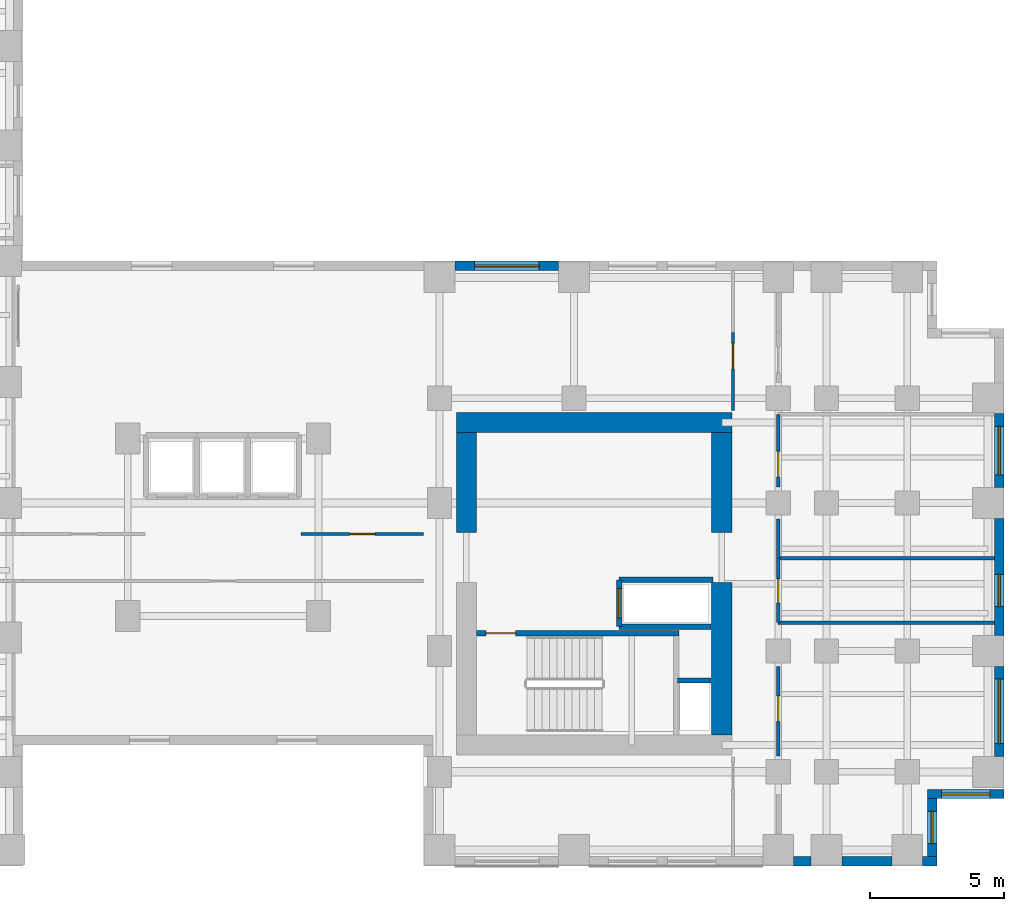
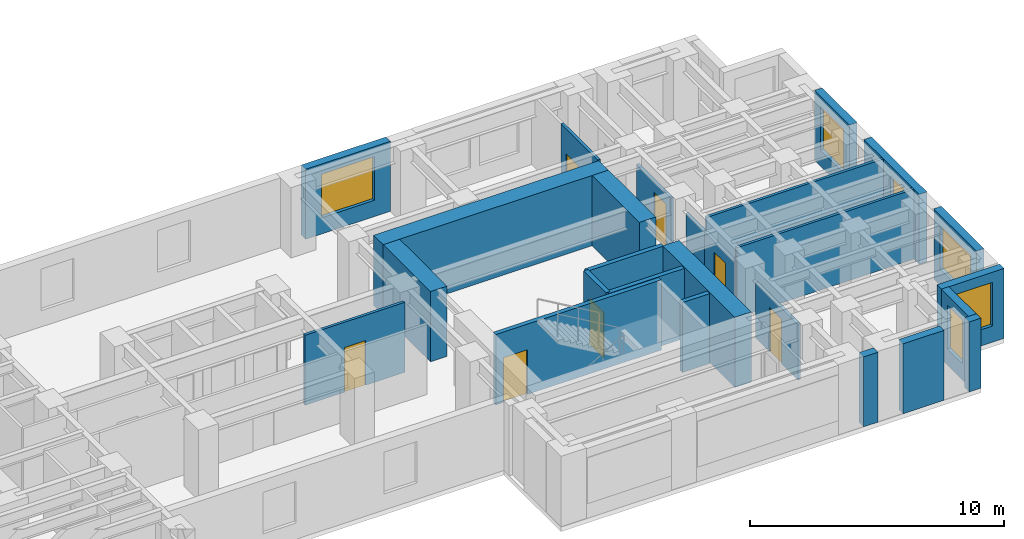
# One storey, part 10 of 14: 26 walls, 7 doors, 6 windows, 13 openings.
"""IFC4 building model written with IfcOpenShell, lengths in metres."""

from ifc_helpers import new_model, si_unit, direction, frame, frame_2d, origin, place, context, subcontext, project, spatial, rectangle, extrude, source, transform, mapped, material, layer, layer_set, type_object, element, fill, save


model = new_model("IFC4")

# Units and contexts
model_context = context("Model", 3, precision=1e-05, world=origin(), true_north=direction((0.0, 1.0)))
body_context = subcontext(model_context, "Body", "Model", "MODEL_VIEW")
ifc_project = project(units=[si_unit("LENGTHUNIT", "METRE"), si_unit("AREAUNIT", "SQUARE_METRE"), si_unit("VOLUMEUNIT", "CUBIC_METRE"), si_unit("PLANEANGLEUNIT", "RADIAN"), si_unit("MASSUNIT", "GRAM", prefix="KILO")], contexts=[model_context])

# Site, building, storey
site_placement = place(None, origin())
site = spatial("IfcSite", under=ifc_project, at=site_placement, CompositionType="ELEMENT")
building_placement = place(site_placement, origin())
building = spatial("IfcBuilding", under=site, at=building_placement, Name="Kharzan Plaza Tower", CompositionType="ELEMENT")
storey_placement = place(building_placement, frame((0.0, 0.0, 81.0)))
storey = spatial("IfcBuildingStorey", under=building, at=storey_placement, Name="L21", CompositionType="ELEMENT", Elevation=81.0)

# Wall, opening, window
ifc_material_1 = material(Name="Concrete C40/50", Category="concrete")
ifc_layer_1 = layer(ifc_material_1, 0.35009765625)
ifc_layer_set_1 = layer_set([ifc_layer_1], Name="Concrete C40/50")
wall_type_1 = type_object("IfcWallType", Name="WL-EXT-MAS-Z2", PredefinedType="SOLIDWALL", material=ifc_layer_set_1)
wall_1_placement = place(storey_placement, frame((53.324951171875, 0.347900390625, 0.0), z_axis=(0.0, 0.0, 1.0), x_axis=(0.0, 1.0, 0.0)))
wall_1 = element("IfcWall", 1, at=wall_1_placement, inside=storey, type_object=wall_type_1, Name="L21 Masonry-Frame Exterior Wall 36", PredefinedType="SOLIDWALL", context=body_context, shape_type="SweptSolid", body=[
    extrude(rectangle(XDim=2.154052734375, YDim=0.35009765625, at=frame_2d((1.0771484375, 0.0))), origin(), (0.0, 0.0, 1.0), 3.364990234375),
])
opening_1_placement = place(wall_1_placement, frame((0.47705078125, 0.0, 0.780029296875)))
opening_1 = element("IfcOpeningElement", 2, at=opening_1_placement, cuts=wall_1, Name="Opening W3", PredefinedType="OPENING", context=body_context, shape_type="SweptSolid", body=[
    extrude(rectangle(XDim=1.199951171875, YDim=2.10009765625, at=frame_2d((0.60009765625, 1.050048828125))), frame((0.0, 0.18505859375, 0.0), z_axis=(0.0, -1.0, 0.0), x_axis=(1.0, 0.0, 0.0)), (0.0, 0.0, 1.0), 0.3701171875),
])
ifc_material_2 = material(Name="Low-E Double Glazing", Category="glass")
window_type_1 = type_object("IfcWindowType", Name="WN-REC-1200x2100", PartitioningType="SINGLE_PANEL", PredefinedType="WINDOW", material=ifc_material_2)
shared_shape_1 = source(origin(), body_context, "Body", "SweptSolid", [
    extrude(rectangle(XDim=1.199951171875, YDim=2.10009765625, at=frame_2d((0.60009765625, 1.050048828125))), frame((0.0, 0.030029296875, 0.0), z_axis=(0.0, -1.0, 0.0), x_axis=(1.0, 0.0, 0.0)), (0.0, 0.0, 1.0), 0.06005859375),
])
window_1_placement = place(opening_1_placement, origin())
window_1 = element("IfcWindow", 3, at=window_1_placement, inside=storey, type_object=window_type_1, Name="L21 Recessed Solar-Control Window 36-1", OverallHeight=2.10009765625, OverallWidth=1.199951171875, PartitioningType="SINGLE_PANEL", PredefinedType="WINDOW", context=body_context, shape_type="MappedRepresentation", body=[
    mapped(shared_shape_1, transform((0.0, 0.0, 0.0), x_axis=(1.0, 0.0, 0.0), y_axis=(0.0, 1.0, 0.0), z_axis=(0.0, 0.0, 1.0))),
])
fill(opening_1, window_1)

wall_2_placement = place(storey_placement, frame((53.14990234375, 2.675048828125, 0.0), z_axis=(0.0, 0.0, 1.0), x_axis=(1.0, 0.0, 0.0)))
wall_2 = element("IfcWall", 4, at=wall_2_placement, inside=storey, type_object=wall_type_1, Name="L21 Masonry-Frame Exterior Wall 37", PredefinedType="SOLIDWALL", context=body_context, shape_type="SweptSolid", body=[
    extrude(rectangle(XDim=2.85009765625, YDim=0.35009765625, at=frame_2d((1.425048828125, 0.0))), origin(), (0.0, 0.0, 1.0), 3.364990234375),
])
opening_2_placement = place(wall_2_placement, frame((0.52490234375, 0.0, 0.780029296875)))
opening_2 = element("IfcOpeningElement", 5, at=opening_2_placement, cuts=wall_2, Name="Opening W1", PredefinedType="OPENING", context=body_context, shape_type="SweptSolid", body=[
    extrude(rectangle(XDim=1.800048828125, YDim=2.10009765625, at=frame_2d((0.89990234375, 1.050048828125))), frame((0.0, 0.18505859375, 0.0), z_axis=(0.0, -1.0, 0.0), x_axis=(1.0, 0.0, 0.0)), (0.0, 0.0, 1.0), 0.3701171875),
])
window_type_2 = type_object("IfcWindowType", Name="WN-REC-1800x2100", PartitioningType="SINGLE_PANEL", PredefinedType="WINDOW", material=ifc_material_2)
shared_shape_2 = source(origin(), body_context, "Body", "SweptSolid", [
    extrude(rectangle(XDim=1.800048828125, YDim=2.10009765625, at=frame_2d((0.89990234375, 1.050048828125))), frame((0.0, 0.030029296875, 0.0), z_axis=(0.0, -1.0, 0.0), x_axis=(1.0, 0.0, 0.0)), (0.0, 0.0, 1.0), 0.06005859375),
])
window_2_placement = place(opening_2_placement, origin())
window_2 = element("IfcWindow", 6, at=window_2_placement, inside=storey, type_object=window_type_2, Name="L21 Recessed Solar-Control Window 37-1", OverallHeight=2.10009765625, OverallWidth=1.800048828125, PartitioningType="SINGLE_PANEL", PredefinedType="WINDOW", context=body_context, shape_type="MappedRepresentation", body=[
    mapped(shared_shape_2, transform((0.0, 0.0, 0.0), x_axis=(1.0, 0.0, 0.0), y_axis=(0.0, 1.0, 0.0), z_axis=(0.0, 0.0, 1.0))),
])
fill(opening_2, window_2)

wall_3_placement = place(storey_placement, frame((55.824951171875, 4.072998046875, 0.0), z_axis=(0.0, 0.0, 1.0), x_axis=(0.0, 1.0, 0.0)))
wall_3 = element("IfcWall", 7, at=wall_3_placement, inside=storey, type_object=wall_type_1, Name="L21 Masonry-Frame Exterior Wall 38", PredefinedType="SOLIDWALL", context=body_context, shape_type="SweptSolid", body=[
    extrude(rectangle(XDim=3.35400390625, YDim=0.35009765625, at=frame_2d((1.677001953125, 0.0))), origin(), (0.0, 0.0, 1.0), 3.364990234375),
])
opening_3_placement = place(wall_3_placement, frame((0.47705078125, 0.0, 0.780029296875)))
opening_3 = element("IfcOpeningElement", 8, at=opening_3_placement, cuts=wall_3, Name="Opening W2", PredefinedType="OPENING", context=body_context, shape_type="SweptSolid", body=[
    extrude(rectangle(XDim=2.39990234375, YDim=2.10009765625, at=frame_2d((1.199951171875, 1.050048828125))), frame((0.0, 0.18505859375, 0.0), z_axis=(0.0, -1.0, 0.0), x_axis=(1.0, 0.0, 0.0)), (0.0, 0.0, 1.0), 0.3701171875),
])
window_type_3 = type_object("IfcWindowType", Name="WN-REC-2400x2100", PartitioningType="SINGLE_PANEL", PredefinedType="WINDOW", material=ifc_material_2)
shared_shape_3 = source(origin(), body_context, "Body", "SweptSolid", [
    extrude(rectangle(XDim=2.39990234375, YDim=2.10009765625, at=frame_2d((1.199951171875, 1.050048828125))), frame((0.0, 0.030029296875, 0.0), z_axis=(0.0, -1.0, 0.0), x_axis=(1.0, 0.0, 0.0)), (0.0, 0.0, 1.0), 0.06005859375),
])
window_3_placement = place(opening_3_placement, origin())
window_3 = element("IfcWindow", 9, at=window_3_placement, inside=storey, type_object=window_type_3, Name="L21 Wide Recessed Solar-Control Window 38-1", OverallHeight=2.10009765625, OverallWidth=2.39990234375, PartitioningType="SINGLE_PANEL", PredefinedType="WINDOW", context=body_context, shape_type="MappedRepresentation", body=[
    mapped(shared_shape_3, transform((0.0, 0.0, 0.0), x_axis=(1.0, 0.0, 0.0), y_axis=(0.0, 1.0, 0.0), z_axis=(0.0, 0.0, 1.0))),
])
fill(opening_3, window_3)

wall_4_placement = place(storey_placement, frame((55.824951171875, 8.572998046875, 0.0), z_axis=(0.0, 0.0, 1.0), x_axis=(0.0, 1.0, 0.0)))
wall_4 = element("IfcWall", 10, at=wall_4_placement, inside=storey, type_object=wall_type_1, Name="L21 Masonry-Frame Exterior Wall 39", PredefinedType="SOLIDWALL", context=body_context, shape_type="SweptSolid", body=[
    extrude(rectangle(XDim=4.35400390625, YDim=0.35009765625, at=frame_2d((2.177001953125, 0.0))), origin(), (0.0, 0.0, 1.0), 3.364990234375),
])
opening_4_placement = place(wall_4_placement, frame((1.076904296875, 0.0, 0.780029296875)))
opening_4 = element("IfcOpeningElement", 11, at=opening_4_placement, cuts=wall_4, Name="Opening W3", PredefinedType="OPENING", context=body_context, shape_type="SweptSolid", body=[
    extrude(rectangle(XDim=1.199951171875, YDim=2.10009765625, at=frame_2d((0.60009765625, 1.050048828125))), frame((0.0, 0.18505859375, 0.0), z_axis=(0.0, -1.0, 0.0), x_axis=(1.0, 0.0, 0.0)), (0.0, 0.0, 1.0), 0.3701171875),
])
window_4_placement = place(opening_4_placement, origin())
window_4 = element("IfcWindow", 12, at=window_4_placement, inside=storey, type_object=window_type_1, Name="L21 Recessed Solar-Control Window 39-1", OverallHeight=2.10009765625, OverallWidth=1.199951171875, PartitioningType="SINGLE_PANEL", PredefinedType="WINDOW", context=body_context, shape_type="MappedRepresentation", body=[
    mapped(shared_shape_1, transform((0.0, 0.0, 0.0), x_axis=(1.0, 0.0, 0.0), y_axis=(0.0, 1.0, 0.0), z_axis=(0.0, 0.0, 1.0))),
])
fill(opening_4, window_4)

wall_5_placement = place(storey_placement, frame((55.824951171875, 14.072998046875, 0.0), z_axis=(0.0, 0.0, 1.0), x_axis=(0.0, 1.0, 0.0)))
wall_5 = element("IfcWall", 13, at=wall_5_placement, inside=storey, type_object=wall_type_1, Name="L21 Masonry-Frame Exterior Wall 40", PredefinedType="SOLIDWALL", context=body_context, shape_type="SweptSolid", body=[
    extrude(rectangle(XDim=2.75390625, YDim=0.35009765625, at=frame_2d((1.376953125, 0.0))), origin(), (0.0, 0.0, 1.0), 3.364990234375),
])
opening_5_placement = place(wall_5_placement, frame((0.47705078125, 0.0, 0.780029296875)))
opening_5 = element("IfcOpeningElement", 14, at=opening_5_placement, cuts=wall_5, Name="Opening W1", PredefinedType="OPENING", context=body_context, shape_type="SweptSolid", body=[
    extrude(rectangle(XDim=1.800048828125, YDim=2.10009765625, at=frame_2d((0.89990234375, 1.050048828125))), frame((0.0, 0.18505859375, 0.0), z_axis=(0.0, -1.0, 0.0), x_axis=(1.0, 0.0, 0.0)), (0.0, 0.0, 1.0), 0.3701171875),
])
window_5_placement = place(opening_5_placement, origin())
window_5 = element("IfcWindow", 15, at=window_5_placement, inside=storey, type_object=window_type_2, Name="L21 Recessed Solar-Control Window 40-1", OverallHeight=2.10009765625, OverallWidth=1.800048828125, PartitioningType="SINGLE_PANEL", PredefinedType="WINDOW", context=body_context, shape_type="MappedRepresentation", body=[
    mapped(shared_shape_2, transform((0.0, 0.0, 0.0), x_axis=(1.0, 0.0, 0.0), y_axis=(0.0, 1.0, 0.0), z_axis=(0.0, 0.0, 1.0))),
])
fill(opening_5, window_5)

wall_6_placement = place(storey_placement, frame((39.427001953125, 22.324951171875, 0.0), z_axis=(0.0, 0.0, 1.0), x_axis=(-1.0, 0.0, 0.0)))
wall_6 = element("IfcWall", 16, at=wall_6_placement, inside=storey, type_object=wall_type_1, Name="L21 Masonry-Frame Exterior Wall 48", PredefinedType="SOLIDWALL", context=body_context, shape_type="SweptSolid", body=[
    extrude(rectangle(XDim=3.85400390625, YDim=0.35009765625, at=frame_2d((1.927001953125, 0.0))), origin(), (0.0, 0.0, 1.0), 3.364990234375),
])
opening_6_placement = place(wall_6_placement, frame((0.72705078125, 0.0, 0.780029296875)))
opening_6 = element("IfcOpeningElement", 17, at=opening_6_placement, cuts=wall_6, Name="Opening W2", PredefinedType="OPENING", context=body_context, shape_type="SweptSolid", body=[
    extrude(rectangle(XDim=2.39990234375, YDim=2.10009765625, at=frame_2d((1.199951171875, 1.050048828125))), frame((0.0, 0.18505859375, 0.0), z_axis=(0.0, -1.0, 0.0), x_axis=(1.0, 0.0, 0.0)), (0.0, 0.0, 1.0), 0.3701171875),
])
window_6_placement = place(opening_6_placement, origin())
window_6 = element("IfcWindow", 18, at=window_6_placement, inside=storey, type_object=window_type_3, Name="L21 Wide Recessed Solar-Control Window 48-1", OverallHeight=2.10009765625, OverallWidth=2.39990234375, PartitioningType="SINGLE_PANEL", PredefinedType="WINDOW", context=body_context, shape_type="MappedRepresentation", body=[
    mapped(shared_shape_3, transform((0.0, 0.0, 0.0), x_axis=(1.0, 0.0, 0.0), y_axis=(0.0, 1.0, 0.0), z_axis=(0.0, 0.0, 1.0))),
])
fill(opening_6, window_6)

# Wall, opening, door
ifc_material_3 = material(Name="Fire-Rated Gypsum Board Partition", Category="gypsum")
ifc_layer_2 = layer(ifc_material_3, 0.125)
ifc_layer_set_2 = layer_set([ifc_layer_2], Name="Fire-Rated Gypsum Board Partition")
wall_type_2 = type_object("IfcWallType", Name="WL-INT-PART-125", PredefinedType="PARTITIONING", material=ifc_layer_set_2)
wall_7_placement = place(storey_placement, frame((47.60009765625, 4.090087890625, 0.0), z_axis=(0.0, 0.0, 1.0), x_axis=(0.0, 1.0, 0.0)))
wall_7 = element("IfcWall", 19, at=wall_7_placement, inside=storey, type_object=wall_type_2, Name="L21 Interior Partition SH-B1W0", PredefinedType="PARTITIONING", context=body_context, shape_type="SweptSolid", body=[
    extrude(rectangle(XDim=3.31982421875, YDim=0.125, at=frame_2d((1.659912109375, 0.0))), origin(), (0.0, 0.0, 1.0), 2.677001953125),
])
opening_7_placement = place(wall_7_placement, frame((1.284912109375, 0.0, 0.0)))
opening_7 = element("IfcOpeningElement", 20, at=opening_7_placement, cuts=wall_7, Name="Opening OD1", PredefinedType="OPENING", context=body_context, shape_type="SweptSolid", body=[
    extrude(rectangle(XDim=0.949951171875, YDim=2.14990234375, at=frame_2d((0.47509765625, 1.074951171875))), frame((0.0, 0.072509765625, 0.0), z_axis=(0.0, -1.0, 0.0), x_axis=(1.0, 0.0, 0.0)), (0.0, 0.0, 1.0), 0.14501953125),
])
ifc_material_4 = material(Name="Acoustic Solid-Core Stained Oak", Category="timber")
door_type_1 = type_object("IfcDoorType", Name="DR-OFF-SINGLE", OperationType="NOTDEFINED", PredefinedType="DOOR", material=ifc_material_4)
shared_shape_4 = source(origin(), body_context, "Body", "SweptSolid", [
    extrude(rectangle(XDim=0.949951171875, YDim=2.14990234375, at=frame_2d((0.47509765625, 1.074951171875))), frame((0.0, 0.02490234375, 0.0), z_axis=(0.0, -1.0, 0.0), x_axis=(1.0, 0.0, 0.0)), (0.0, 0.0, 1.0), 0.050048828125),
])
door_1_placement = place(opening_7_placement, origin())
door_1 = element("IfcDoor", 21, at=door_1_placement, inside=storey, type_object=door_type_1, Name="L21 Wing B South Studio Door", OperationType="SINGLE_SWING_RIGHT", OverallHeight=2.14990234375, OverallWidth=0.949951171875, PredefinedType="DOOR", context=body_context, shape_type="MappedRepresentation", body=[
    mapped(shared_shape_4, transform((0.0, 0.0, 0.0), x_axis=(1.0, 0.0, 0.0), y_axis=(0.0, 1.0, 0.0), z_axis=(0.0, 0.0, 1.0))),
])
fill(opening_7, door_1)

wall_8_placement = place(storey_placement, frame((47.60009765625, 14.090087890625, 0.0), z_axis=(0.0, 0.0, 1.0), x_axis=(0.0, 1.0, 0.0)))
wall_8 = element("IfcWall", 22, at=wall_8_placement, inside=storey, type_object=wall_type_2, Name="L21 Interior Partition SH-B1W1-S2", PredefinedType="PARTITIONING", context=body_context, shape_type="SweptSolid", body=[
    extrude(rectangle(XDim=2.7099609375, YDim=0.125, at=frame_2d((1.35498046875, 0.0))), origin(), (0.0, 0.0, 1.0), 2.677001953125),
])
opening_8_placement = place(wall_8_placement, frame((0.3798828125, 0.0, 0.0)))
opening_8 = element("IfcOpeningElement", 23, at=opening_8_placement, cuts=wall_8, Name="Opening OD1", PredefinedType="OPENING", context=body_context, shape_type="SweptSolid", body=[
    extrude(rectangle(XDim=0.949951171875, YDim=2.14990234375, at=frame_2d((0.47509765625, 1.074951171875))), frame((0.0, 0.072509765625, 0.0), z_axis=(0.0, -1.0, 0.0), x_axis=(1.0, 0.0, 0.0)), (0.0, 0.0, 1.0), 0.14501953125),
])
door_2_placement = place(opening_8_placement, origin())
door_2 = element("IfcDoor", 24, at=door_2_placement, inside=storey, type_object=door_type_1, Name="L21 Wing B Mid Office Door", OperationType="SINGLE_SWING_RIGHT", OverallHeight=2.14990234375, OverallWidth=0.949951171875, PredefinedType="DOOR", context=body_context, shape_type="MappedRepresentation", body=[
    mapped(shared_shape_4, transform((0.0, 0.0, 0.0), x_axis=(1.0, 0.0, 0.0), y_axis=(0.0, 1.0, 0.0), z_axis=(0.0, 0.0, 1.0))),
])
fill(opening_8, door_2)

wall_9_placement = place(storey_placement, frame((47.60009765625, 9.050048828125, 0.0), z_axis=(0.0, 0.0, 1.0), x_axis=(0.0, 1.0, 0.0)))
wall_9 = element("IfcWall", 25, at=wall_9_placement, inside=storey, type_object=wall_type_2, Name="L21 Interior Partition SH-B1WC", PredefinedType="PARTITIONING", context=body_context, shape_type="SweptSolid", body=[
    extrude(rectangle(XDim=2.39990234375, YDim=0.125, at=frame_2d((1.199951171875, 0.0))), origin(), (0.0, 0.0, 1.0), 2.677001953125),
])
opening_9_placement = place(wall_9_placement, frame((0.72509765625, 0.0, 0.0)))
opening_9 = element("IfcOpeningElement", 26, at=opening_9_placement, cuts=wall_9, Name="Opening WD1", PredefinedType="OPENING", context=body_context, shape_type="SweptSolid", body=[
    extrude(rectangle(XDim=0.89990234375, YDim=2.14990234375, at=frame_2d((0.449951171875, 1.074951171875))), frame((0.0, 0.072509765625, 0.0), z_axis=(0.0, -1.0, 0.0), x_axis=(1.0, 0.0, 0.0)), (0.0, 0.0, 1.0), 0.14501953125),
])
ifc_material_5 = material(Name="Moisture-Resistant Fire-Rated Laminate", Category="timber")
door_type_2 = type_object("IfcDoorType", Name="DR-WC-900", OperationType="NOTDEFINED", PredefinedType="DOOR", material=ifc_material_5)
shared_shape_5 = source(origin(), body_context, "Body", "SweptSolid", [
    extrude(rectangle(XDim=0.89990234375, YDim=2.14990234375, at=frame_2d((0.449951171875, 1.074951171875))), frame((0.0, 0.02490234375, 0.0), z_axis=(0.0, -1.0, 0.0), x_axis=(1.0, 0.0, 0.0)), (0.0, 0.0, 1.0), 0.050048828125),
])
door_3_placement = place(opening_9_placement, origin())
door_3 = element("IfcDoor", 27, at=door_3_placement, inside=storey, type_object=door_type_2, Name="L21 Wing B Washroom Door", OperationType="SINGLE_SWING_LEFT", OverallHeight=2.14990234375, OverallWidth=0.89990234375, PredefinedType="DOOR", context=body_context, shape_type="MappedRepresentation", body=[
    mapped(shared_shape_5, transform((0.0, 0.0, 0.0), x_axis=(1.0, 0.0, 0.0), y_axis=(0.0, 1.0, 0.0), z_axis=(0.0, 0.0, 1.0))),
])
fill(opening_9, door_3)

wall_10_placement = place(storey_placement, frame((45.919921875, 16.949951171875, 0.0), z_axis=(0.0, 0.0, 1.0), x_axis=(0.0, 1.0, 0.0)))
wall_10 = element("IfcWall", 28, at=wall_10_placement, inside=storey, type_object=wall_type_2, Name="L21 Interior Partition SH-RBNE", PredefinedType="PARTITIONING", context=body_context, shape_type="SweptSolid", body=[
    extrude(rectangle(XDim=2.900146484375, YDim=0.125, at=frame_2d((1.4501953125, 0.0))), origin(), (0.0, 0.0, 1.0), 3.364990234375),
])
opening_10_placement = place(wall_10_placement, frame((1.54296875, 0.0, 0.0)))
opening_10 = element("IfcOpeningElement", 29, at=opening_10_placement, cuts=wall_10, Name="Opening OD1", PredefinedType="OPENING", context=body_context, shape_type="SweptSolid", body=[
    extrude(rectangle(XDim=0.949951171875, YDim=2.14990234375, at=frame_2d((0.47509765625, 1.074951171875))), frame((0.0, 0.072509765625, 0.0), z_axis=(0.0, -1.0, 0.0), x_axis=(1.0, 0.0, 0.0)), (0.0, 0.0, 1.0), 0.14501953125),
])
door_4_placement = place(opening_10_placement, origin())
door_4 = element("IfcDoor", 30, at=door_4_placement, inside=storey, type_object=door_type_1, Name="L21 Wing B North Studio Door", OperationType="SINGLE_SWING_LEFT", OverallHeight=2.14990234375, OverallWidth=0.949951171875, PredefinedType="DOOR", context=body_context, shape_type="MappedRepresentation", body=[
    mapped(shared_shape_4, transform((0.0, 0.0, 0.0), x_axis=(1.0, 0.0, 0.0), y_axis=(0.0, 1.0, 0.0), z_axis=(0.0, 0.0, 1.0))),
])
fill(opening_10, door_4)

wall_11_placement = place(storey_placement, frame((29.85009765625, 12.35009765625, 0.0), z_axis=(0.0, 0.0, 1.0), x_axis=(1.0, 0.0, 0.0)))
wall_11 = element("IfcWall", 31, at=wall_11_placement, inside=storey, type_object=wall_type_2, Name="L21 Interior Partition SH-SPNE1", PredefinedType="PARTITIONING", context=body_context, shape_type="SweptSolid", body=[
    extrude(rectangle(XDim=4.5498046875, YDim=0.125, at=frame_2d((2.27490234375, 0.0))), origin(), (0.0, 0.0, 1.0), 3.364990234375),
])
opening_11_placement = place(wall_11_placement, frame((1.800048828125, 0.0, 0.0)))
opening_11 = element("IfcOpeningElement", 32, at=opening_11_placement, cuts=wall_11, Name="Opening OD1", PredefinedType="OPENING", context=body_context, shape_type="SweptSolid", body=[
    extrude(rectangle(XDim=0.949951171875, YDim=2.14990234375, at=frame_2d((0.47509765625, 1.074951171875))), frame((0.0, 0.072509765625, 0.0), z_axis=(0.0, -1.0, 0.0), x_axis=(1.0, 0.0, 0.0)), (0.0, 0.0, 1.0), 0.14501953125),
])
door_5_placement = place(opening_11_placement, origin())
door_5 = element("IfcDoor", 33, at=door_5_placement, inside=storey, type_object=door_type_1, Name="L21 North-East Spine Door", OperationType="SINGLE_SWING_LEFT", OverallHeight=2.14990234375, OverallWidth=0.949951171875, PredefinedType="DOOR", context=body_context, shape_type="MappedRepresentation", body=[
    mapped(shared_shape_4, transform((0.0, 0.0, 0.0), x_axis=(1.0, 0.0, 0.0), y_axis=(0.0, 1.0, 0.0), z_axis=(0.0, 0.0, 1.0))),
])
fill(opening_11, door_5)

ifc_layer_3 = layer(ifc_material_1, 0.199951171875)
ifc_layer_set_3 = layer_set([ifc_layer_3], Name="Concrete C40/50")
wall_type_3 = type_object("IfcWallType", Name="WL-INT-SHAFT-200", PredefinedType="PARTITIONING", material=ifc_layer_set_3)
wall_12_placement = place(storey_placement, frame((41.679931640625, 8.89990234375, 0.0), z_axis=(0.0, 0.0, 1.0), x_axis=(0.0, 1.0, 0.0)))
wall_12 = element("IfcWall", 34, at=wall_12_placement, inside=storey, type_object=wall_type_3, Name="L21 Interior Partition SHF-SVL-2-W", PredefinedType="PARTITIONING", context=body_context, shape_type="SweptSolid", body=[
    extrude(rectangle(XDim=1.739990234375, YDim=0.199951171875, at=frame_2d((0.8701171875, 0.0))), origin(), (0.0, 0.0, 1.0), 3.364990234375),
])
opening_12_placement = place(wall_12_placement, frame((0.320068359375, 0.0, 0.0)))
opening_12 = element("IfcOpeningElement", 35, at=opening_12_placement, cuts=wall_12, Name="Opening LD", PredefinedType="OPENING", context=body_context, shape_type="SweptSolid", body=[
    extrude(rectangle(XDim=1.10009765625, YDim=2.199951171875, at=frame_2d((0.550048828125, 1.10009765625))), frame((0.0, 0.10986328125, 0.0), z_axis=(0.0, -1.0, 0.0), x_axis=(1.0, 0.0, 0.0)), (0.0, 0.0, 1.0), 0.219970703125),
])
ifc_material_6 = material(Name="Brushed Stainless Steel", Category="steel")
door_type_3 = type_object("IfcDoorType", Name="DR-LIFT-SLIDE", OperationType="SLIDING_TO_LEFT", PredefinedType="DOOR", material=ifc_material_6)
shared_shape_6 = source(origin(), body_context, "Body", "SweptSolid", [
    extrude(rectangle(XDim=1.10009765625, YDim=2.199951171875, at=frame_2d((0.550048828125, 1.10009765625))), frame((0.0, 0.02490234375, 0.0), z_axis=(0.0, -1.0, 0.0), x_axis=(1.0, 0.0, 0.0)), (0.0, 0.0, 1.0), 0.050048828125),
])
door_6_placement = place(opening_12_placement, origin())
door_6 = element("IfcDoor", 36, at=door_6_placement, inside=storey, type_object=door_type_3, Name="L21 Service Lift SVL-2 Sliding Landing Door", OperationType="SLIDING_TO_LEFT", OverallHeight=2.199951171875, OverallWidth=1.10009765625, PredefinedType="DOOR", context=body_context, shape_type="MappedRepresentation", body=[
    mapped(shared_shape_6, transform((0.0, 0.0, 0.0), x_axis=(1.0, 0.0, 0.0), y_axis=(0.0, 1.0, 0.0), z_axis=(0.0, 0.0, 1.0))),
])
fill(opening_12, door_6)

ifc_material_7 = material(Name="Concrete C50/60", Category="concrete")
ifc_layer_4 = layer(ifc_material_7, 0.199951171875)
ifc_layer_set_4 = layer_set([ifc_layer_4], Name="Concrete C50/60")
wall_type_4 = type_object("IfcWallType", Name="WL-SHAFT-RC200", PredefinedType="SHEAR", material=ifc_layer_set_4)
wall_13_placement = place(storey_placement, frame((36.376953125, 8.655029296875, 0.0), z_axis=(0.0, 0.0, 1.0), x_axis=(1.0, 0.0, 0.0)))
wall_13 = element("IfcWall", 37, at=wall_13_placement, inside=storey, type_object=wall_type_4, Name="L21 Stair ST-3 North RC Shaft Wall", PredefinedType="SHEAR", context=body_context, shape_type="SweptSolid", body=[
    extrude(rectangle(XDim=7.528076171875, YDim=0.199951171875, at=frame_2d((3.76416015625, 0.0))), origin(), (0.0, 0.0, 1.0), 3.3798828125),
])
opening_13_placement = place(wall_13_placement, frame((0.35009765625, 0.0, 0.0)))
opening_13 = element("IfcOpeningElement", 38, at=opening_13_placement, cuts=wall_13, Name="Opening SD1", PredefinedType="OPENING", context=body_context, shape_type="SweptSolid", body=[
    extrude(rectangle(XDim=1.10009765625, YDim=2.14990234375, at=frame_2d((0.550048828125, 1.074951171875))), frame((0.0, 0.10986328125, 0.0), z_axis=(0.0, -1.0, 0.0), x_axis=(1.0, 0.0, 0.0)), (0.0, 0.0, 1.0), 0.219970703125),
])
ifc_material_8 = material(Name="Fire-Rated Hollow Galvanized Steel", Category="steel")
door_type_4 = type_object("IfcDoorType", Name="DR-STAIR-FD120", OperationType="NOTDEFINED", PredefinedType="DOOR", material=ifc_material_8)
shared_shape_7 = source(origin(), body_context, "Body", "SweptSolid", [
    extrude(rectangle(XDim=1.10009765625, YDim=2.14990234375, at=frame_2d((0.550048828125, 1.074951171875))), frame((0.0, 0.02490234375, 0.0), z_axis=(0.0, -1.0, 0.0), x_axis=(1.0, 0.0, 0.0)), (0.0, 0.0, 1.0), 0.050048828125),
])
door_7_placement = place(opening_13_placement, origin())
door_7 = element("IfcDoor", 39, at=door_7_placement, inside=storey, type_object=door_type_4, Name="L21 Stair ST-3 Fire Exit Door", OperationType="SINGLE_SWING_RIGHT", OverallHeight=2.14990234375, OverallWidth=1.10009765625, PredefinedType="DOOR", context=body_context, shape_type="MappedRepresentation", body=[
    mapped(shared_shape_7, transform((0.0, 0.0, 0.0), x_axis=(1.0, 0.0, 0.0), y_axis=(0.0, 1.0, 0.0), z_axis=(0.0, 0.0, 1.0))),
])
fill(opening_13, door_7)

# Walls
shared_shape_8 = source(origin(), body_context, "Body", "SweptSolid", [
    extrude(rectangle(XDim=3.489990234375, YDim=0.199951171875, at=frame_2d((1.7451171875, 0.0))), origin(), (0.0, 0.0, 1.0), 3.364990234375),
])
wall_14_placement = place(storey_placement, frame((41.679931640625, 10.639892578125, 0.0), z_axis=(0.0, 0.0, 1.0), x_axis=(1.0, 0.0, 0.0)))
element("IfcWall", 40, at=wall_14_placement, inside=storey, type_object=wall_type_3, Name="L21 Interior Partition SHF-SVL-2-N", PredefinedType="PARTITIONING", context=body_context, shape_type="MappedRepresentation", body=[
    mapped(shared_shape_8, transform((0.0, 0.0, 0.0), x_axis=(1.0, 0.0, 0.0), y_axis=(0.0, 1.0, 0.0), z_axis=(0.0, 0.0, 1.0))),
])
shared_shape_9 = source(origin(), body_context, "Body", "SweptSolid", [
    extrude(rectangle(XDim=0.65380859375, YDim=0.35009765625, at=frame_2d((0.326904296875, 0.0))), origin(), (0.0, 0.0, 1.0), 3.364990234375),
])
wall_15_placement = place(storey_placement, frame((48.173095703125, 0.175048828125, 0.0), z_axis=(0.0, 0.0, 1.0), x_axis=(1.0, 0.0, 0.0)))
element("IfcWall", 41, at=wall_15_placement, inside=storey, type_object=wall_type_1, Name="L21 Masonry-Frame Exterior Wall 33", PredefinedType="SOLIDWALL", context=body_context, shape_type="MappedRepresentation", body=[
    mapped(shared_shape_9, transform((0.0, 0.0, 0.0), x_axis=(1.0, 0.0, 0.0), y_axis=(0.0, 1.0, 0.0), z_axis=(0.0, 0.0, 1.0))),
])
shared_shape_10 = source(origin(), body_context, "Body", "SweptSolid", [
    extrude(rectangle(XDim=1.85400390625, YDim=0.35009765625, at=frame_2d((0.927001953125, 0.0))), origin(), (0.0, 0.0, 1.0), 3.364990234375),
])
wall_16_placement = place(storey_placement, frame((49.972900390625, 0.175048828125, 0.0), z_axis=(0.0, 0.0, 1.0), x_axis=(1.0, 0.0, 0.0)))
element("IfcWall", 42, at=wall_16_placement, inside=storey, type_object=wall_type_1, Name="L21 Masonry-Frame Exterior Wall 34", PredefinedType="SOLIDWALL", context=body_context, shape_type="MappedRepresentation", body=[
    mapped(shared_shape_10, transform((0.0, 0.0, 0.0), x_axis=(1.0, 0.0, 0.0), y_axis=(0.0, 1.0, 0.0), z_axis=(0.0, 0.0, 1.0))),
])
shared_shape_11 = source(origin(), body_context, "Body", "SweptSolid", [
    extrude(rectangle(XDim=0.527099609375, YDim=0.35009765625, at=frame_2d((0.263671875, 0.0))), origin(), (0.0, 0.0, 1.0), 3.364990234375),
])
wall_17_placement = place(storey_placement, frame((52.972900390625, 0.175048828125, 0.0), z_axis=(0.0, 0.0, 1.0), x_axis=(1.0, 0.0, 0.0)))
element("IfcWall", 43, at=wall_17_placement, inside=storey, type_object=wall_type_1, Name="L21 Masonry-Frame Exterior Wall 35", PredefinedType="SOLIDWALL", context=body_context, shape_type="MappedRepresentation", body=[
    mapped(shared_shape_11, transform((0.0, 0.0, 0.0), x_axis=(1.0, 0.0, 0.0), y_axis=(0.0, 1.0, 0.0), z_axis=(0.0, 0.0, 1.0))),
])
shared_shape_12 = source(origin(), body_context, "Body", "SweptSolid", [
    extrude(rectangle(XDim=8.0478515625, YDim=0.125, at=frame_2d((4.02392578125, 0.0))), origin(), (0.0, 0.0, 1.0), 3.364990234375),
])
for number, where, z_axis, x_axis, name in (
    (44, (47.60009765625, 11.449951171875, 0.0), (0.0, 0.0, 1.0), (1.0, 0.0, 0.0), "L21 Interior Partition SH-B1H-118"),
    (45, (47.60009765625, 9.050048828125, 0.0), (0.0, 0.0, 1.0), (1.0, 0.0, 0.0), "L21 Interior Partition SH-B1H-90"),
):
    element("IfcWall", number, at=place(storey_placement, frame(where, z_axis=z_axis, x_axis=x_axis)), inside=storey, type_object=wall_type_2, Name=name, PredefinedType="PARTITIONING", context=body_context, shape_type="MappedRepresentation", body=[
        mapped(shared_shape_12, transform((0.0, 0.0, 0.0), x_axis=(1.0, 0.0, 0.0), y_axis=(0.0, 1.0, 0.0), z_axis=(0.0, 0.0, 1.0))),
    ])
shared_shape_13 = source(origin(), body_context, "Body", "SweptSolid", [
    extrude(rectangle(XDim=1.244873046875, YDim=0.199951171875, at=frame_2d((0.62255859375, 0.0))), origin(), (0.0, 0.0, 1.0), 3.364990234375),
])
wall_18_placement = place(storey_placement, frame((43.85009765625, 6.89990234375, 0.0), z_axis=(0.0, 0.0, 1.0), x_axis=(1.0, 0.0, 0.0)))
element("IfcWall", 46, at=wall_18_placement, inside=storey, type_object=wall_type_3, Name="L21 Interior Partition CB-RSRB-N", PredefinedType="PARTITIONING", context=body_context, shape_type="MappedRepresentation", body=[
    mapped(shared_shape_13, transform((0.0, 0.0, 0.0), x_axis=(1.0, 0.0, 0.0), y_axis=(0.0, 1.0, 0.0), z_axis=(0.0, 0.0, 1.0))),
])
shared_shape_14 = source(origin(), body_context, "Body", "SweptSolid", [
    extrude(rectangle(XDim=3.4150390625, YDim=0.199951171875, at=frame_2d((1.70751953125, 0.0))), origin(), (0.0, 0.0, 1.0), 3.364990234375),
])
wall_19_placement = place(storey_placement, frame((41.679931640625, 8.89990234375, 0.0), z_axis=(0.0, 0.0, 1.0), x_axis=(1.0, 0.0, 0.0)))
element("IfcWall", 47, at=wall_19_placement, inside=storey, type_object=wall_type_3, Name="L21 Interior Partition SHF-SVL-2-S", PredefinedType="PARTITIONING", context=body_context, shape_type="MappedRepresentation", body=[
    mapped(shared_shape_14, transform((0.0, 0.0, 0.0), x_axis=(1.0, 0.0, 0.0), y_axis=(0.0, 1.0, 0.0), z_axis=(0.0, 0.0, 1.0))),
])
ifc_material_9 = material(Name="Concrete C60/75", Category="concrete")
ifc_layer_5 = layer(ifc_material_9, 0.75)
ifc_layer_set_5 = layer_set([ifc_layer_5], Name="Concrete C60/75")
wall_type_5 = type_object("IfcWallType", Name="WL-CORE-750", PredefinedType="SHEAR", material=ifc_layer_set_5)
shared_shape_15 = source(origin(), body_context, "Body", "SweptSolid", [
    extrude(rectangle(XDim=5.675048828125, YDim=0.75, at=frame_2d((2.83740234375, 0.0))), origin(), (0.0, 0.0, 1.0), 3.3798828125),
])
wall_20_placement = place(storey_placement, frame((45.5, 4.875, 0.0), z_axis=(0.0, 0.0, 1.0), x_axis=(0.0, 1.0, 0.0)))
element("IfcWall", 48, at=wall_20_placement, inside=storey, type_object=wall_type_5, Name="L21 CORE-B east shear pier 1", PredefinedType="SHEAR", context=body_context, shape_type="MappedRepresentation", body=[
    mapped(shared_shape_15, transform((0.0, 0.0, 0.0), x_axis=(1.0, 0.0, 0.0), y_axis=(0.0, 1.0, 0.0), z_axis=(0.0, 0.0, 1.0))),
])
shared_shape_16 = source(origin(), body_context, "Body", "SweptSolid", [
    extrude(rectangle(XDim=3.72509765625, YDim=0.75, at=frame_2d((1.862548828125, 0.0))), origin(), (0.0, 0.0, 1.0), 3.3798828125),
])
for number, where, z_axis, x_axis, name in (
    (49, (45.5, 12.39990234375, 0.0), (0.0, 0.0, 1.0), (0.0, 1.0, 0.0), "L21 CORE-B east shear pier 2"),
    (50, (36.0, 12.39990234375, 0.0), (0.0, 0.0, 1.0), (0.0, 1.0, 0.0), "L21 CORE-B west shear pier 2"),
):
    element("IfcWall", number, at=place(storey_placement, frame(where, z_axis=z_axis, x_axis=x_axis)), inside=storey, type_object=wall_type_5, Name=name, PredefinedType="SHEAR", context=body_context, shape_type="MappedRepresentation", body=[
        mapped(shared_shape_16, transform((0.0, 0.0, 0.0), x_axis=(1.0, 0.0, 0.0), y_axis=(0.0, 1.0, 0.0), z_axis=(0.0, 0.0, 1.0))),
    ])
shared_shape_17 = source(origin(), body_context, "Body", "SweptSolid", [
    extrude(rectangle(XDim=10.25, YDim=0.75, at=frame_2d((5.125, 0.0))), origin(), (0.0, 0.0, 1.0), 3.3798828125),
])
wall_21_placement = place(storey_placement, frame((35.625, 16.5, 0.0), z_axis=(0.0, 0.0, 1.0), x_axis=(1.0, 0.0, 0.0)))
element("IfcWall", 51, at=wall_21_placement, inside=storey, type_object=wall_type_5, Name="L21 CORE-B north RC shear wall", PredefinedType="SHEAR", context=body_context, shape_type="MappedRepresentation", body=[
    mapped(shared_shape_17, transform((0.0, 0.0, 0.0), x_axis=(1.0, 0.0, 0.0), y_axis=(0.0, 1.0, 0.0), z_axis=(0.0, 0.0, 1.0))),
])
shared_shape_18 = source(origin(), body_context, "Body", "SweptSolid", [
    extrude(rectangle(XDim=1.4599609375, YDim=0.125, at=frame_2d((0.72998046875, 0.0))), origin(), (0.0, 0.0, 1.0), 2.677001953125),
])
wall_22_placement = place(storey_placement, frame((47.60009765625, 11.449951171875, 0.0), z_axis=(0.0, 0.0, 1.0), x_axis=(0.0, 1.0, 0.0)))
element("IfcWall", 52, at=wall_22_placement, inside=storey, type_object=wall_type_2, Name="L21 Interior Partition SH-B1W1-S1", PredefinedType="PARTITIONING", context=body_context, shape_type="MappedRepresentation", body=[
    mapped(shared_shape_18, transform((0.0, 0.0, 0.0), x_axis=(1.0, 0.0, 0.0), y_axis=(0.0, 1.0, 0.0), z_axis=(0.0, 0.0, 1.0))),
])

save(model, "model.ifc")
